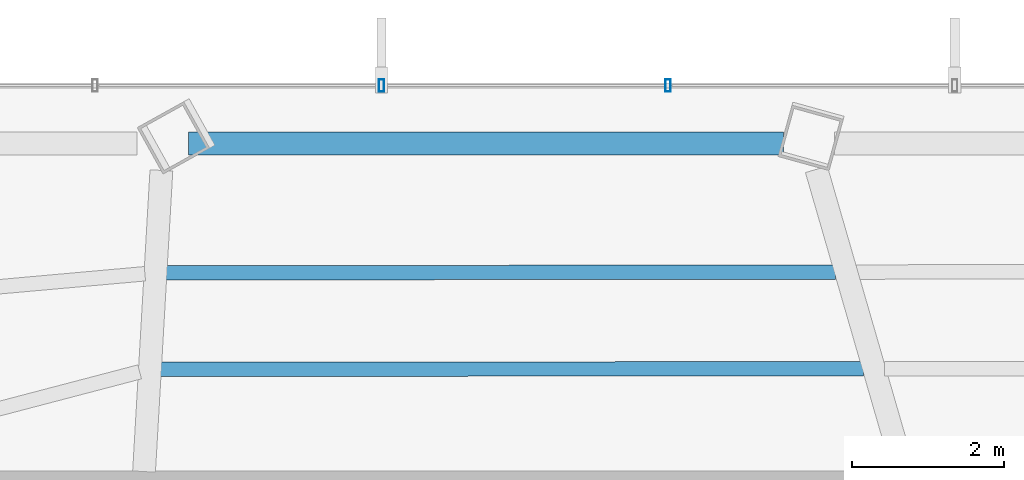
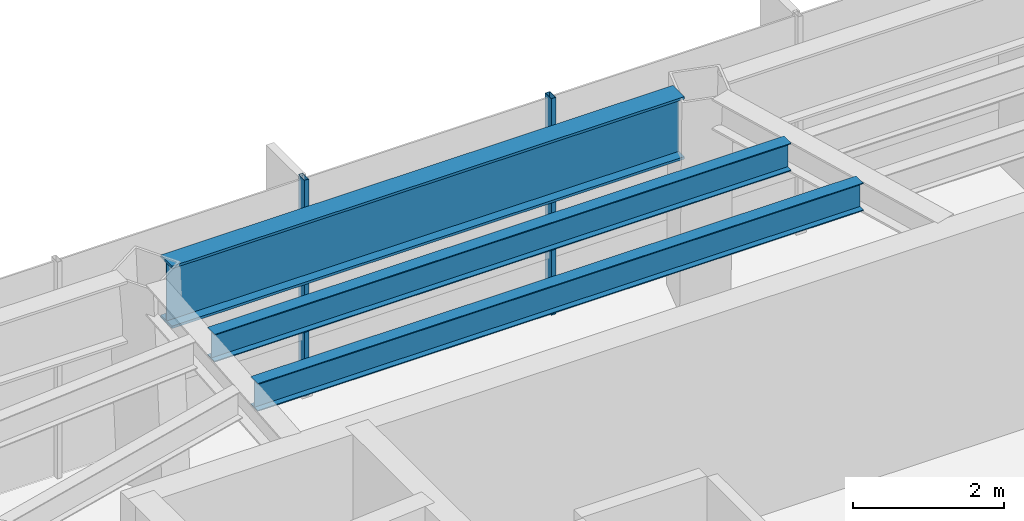
# One storey, part 13 of 27: 3 beams, 2 members, 1 element without a shape of its own.
"""IFC4 building model written with IfcOpenShell, lengths in metres."""

from ifc_helpers import new_model, si_unit, direction, frame, origin, origin_2d, place, context, subcontext, project, spatial, hollow_rectangle, i_section, extrude, material, layer, layer_set, material_profile, profile_set, type_object, element, aggregate, save


model = new_model("IFC4")

# Units and contexts
model_context = context("Model", 3, precision=1e-05, world=origin(), true_north=direction((0.0, 1.0)))
body_context = subcontext(model_context, "Body", "Model", "MODEL_VIEW")
ifc_project = project(units=[si_unit("LENGTHUNIT", "METRE"), si_unit("AREAUNIT", "SQUARE_METRE"), si_unit("VOLUMEUNIT", "CUBIC_METRE"), si_unit("PLANEANGLEUNIT", "RADIAN"), si_unit("MASSUNIT", "GRAM", prefix="KILO")], contexts=[model_context])

# Site, building, storey
site_placement = place(None, origin())
site = spatial("IfcSite", under=ifc_project, at=site_placement, CompositionType="ELEMENT")
building_placement = place(site_placement, origin())
building = spatial("IfcBuilding", under=site, at=building_placement, Name="Zarrinselat Tower", CompositionType="ELEMENT")
storey_placement = place(building_placement, frame((0.0, 0.0, 183.260009765625)))
storey = spatial("IfcBuildingStorey", under=building, at=storey_placement, Name="L45", CompositionType="ELEMENT", Elevation=183.260009765625)

# Beams
ifc_material_1 = material(Name="Steel S460M", Category="steel")
ifc_material_profile_1 = material_profile(ifc_material_1, i_section(OverallWidth=0.302001953125, OverallDepth=1.008056640625, WebThickness=0.02099609375, FlangeThickness=0.0400390625, at=origin_2d()), Name="HEM 1000")
ifc_profile_set_1 = profile_set([ifc_material_profile_1], Name="Steel S460M")
beam_type_1 = type_object("IfcBeamType", Name="BM-HEM1000", PredefinedType="BEAM", material=ifc_profile_set_1)
beam_1_placement = place(storey_placement, frame((31.58642578125, 47.95556640625, 2.99609375), z_axis=(1.0, 0.0, 0.0), x_axis=(0.0, 1.0, 0.0)))
element("IfcBeam", 1, at=beam_1_placement, inside=storey, type_object=beam_type_1, Name="L45 Perimeter Spandrel Girder SP03", PredefinedType="BEAM", context=body_context, shape_type="SweptSolid", body=[
    extrude(i_section(OverallWidth=0.302001953125, OverallDepth=1.008056640625, WebThickness=0.02099609375, FlangeThickness=0.0400390625, at=origin_2d()), origin(), (0.0, 0.0, 1.0), 7.827880859375),
])
ifc_material_2 = material(Name="Steel S355J2", Category="steel")
ifc_material_profile_2 = material_profile(ifc_material_2, i_section(OverallWidth=0.18994140625, OverallDepth=0.449951171875, WebThickness=0.009521484375, FlangeThickness=0.0146484375, at=origin_2d()), Name="IPE 450")
ifc_profile_set_2 = profile_set([ifc_material_profile_2], Name="Steel S355J2")
beam_type_2 = type_object("IfcBeamType", Name="BM-IPE450", PredefinedType="JOIST", material=ifc_profile_set_2)
beam_2_placement = place(storey_placement, frame((31.290771484375, 46.256591796875, 3.27490234375), z_axis=(0.99999955616, 0.000942167121, 0.0), x_axis=(-0.000942167121, 0.99999955616, 0.0)))
element("IfcBeam", 2, at=beam_2_placement, inside=storey, type_object=beam_type_2, Name="L45 Composite Floor Joist 8-1", PredefinedType="JOIST", context=body_context, shape_type="SweptSolid", body=[
    extrude(i_section(OverallWidth=0.18994140625, OverallDepth=0.449951171875, WebThickness=0.009521484375, FlangeThickness=0.0146484375, at=origin_2d()), origin(), (0.0, 0.0, 1.0), 8.810302734375),
])
beam_3_placement = place(storey_placement, frame((31.217529296875, 44.98779296875, 3.27490234375), z_axis=(0.999999887183, 0.000475009183, 0.0), x_axis=(-0.000475009183, 0.999999887183, 0.0)))
element("IfcBeam", 3, at=beam_3_placement, inside=storey, type_object=beam_type_2, Name="L45 Composite Floor Joist 8-2", PredefinedType="JOIST", context=body_context, shape_type="SweptSolid", body=[
    extrude(i_section(OverallWidth=0.18994140625, OverallDepth=0.449951171875, WebThickness=0.009521484375, FlangeThickness=0.0146484375, at=origin_2d()), origin(), (0.0, 0.0, 1.0), 9.25146484375),
])

# Curtain wall, members
ifc_material_3 = material(Name="Extruded Aluminium Alloy EN AW-6063 T6", Category="aluminium")
ifc_layer = layer(ifc_material_3, 0.175048828125)
ifc_layer_set = layer_set([ifc_layer], Name="Extruded Aluminium Alloy EN AW-6063 T6")
curtain_wall_type = type_object("IfcCurtainWallType", Name="CWS-HTL", PredefinedType="NOTDEFINED", material=ifc_layer_set)
curtain_wall_placement = place(storey_placement, origin())
curtain_wall = element("IfcCurtainWall", 4, at=curtain_wall_placement, inside=storey, type_object=curtain_wall_type, Name="L45 Unitised Curtain Wall CW-L45-E01", PredefinedType="NOTDEFINED")
ifc_material_4 = material(Name="Extruded Aluminium Alloy EN AW-6063 T6", Category="aluminium")
ifc_material_profile_3 = material_profile(ifc_material_4, hollow_rectangle(XDim=0.070068359375, YDim=0.159912109375, WallThickness=0.00390625, at=origin_2d()), Name="RHS 160x70x4")
ifc_profile_set_3 = profile_set([ifc_material_profile_3], Name="Extruded Aluminium Alloy EN AW-6063 T6")
member_type = type_object("IfcMemberType", Name="MEM-CW-MUL2", PredefinedType="MULLION", material=ifc_profile_set_3)
member_1_placement = place(storey_placement, frame((37.898193359375, 48.72216796875, 0.0), z_axis=(0.0, 0.0, 1.0), x_axis=(-1.0, 0.0, 0.0)))
member_1 = element("IfcMember", 5, at=member_1_placement, type_object=member_type, Name="CW-L45-E01 Mullion 6", PredefinedType="MULLION", context=body_context, shape_type="SweptSolid", body=[
    extrude(hollow_rectangle(XDim=0.070068359375, YDim=0.159912109375, WallThickness=0.00390625, at=origin_2d()), origin(), (0.0, 0.0, 1.0), 3.5),
])
member_2_placement = place(storey_placement, frame((34.126220703125, 48.72216796875, 0.0), z_axis=(0.0, 0.0, 1.0), x_axis=(-1.0, 0.0, 0.0)))
member_2 = element("IfcMember", 6, at=member_2_placement, type_object=member_type, Name="CW-L45-E01 Mullion 7", PredefinedType="MULLION", context=body_context, shape_type="SweptSolid", body=[
    extrude(hollow_rectangle(XDim=0.070068359375, YDim=0.159912109375, WallThickness=0.00390625, at=origin_2d()), origin(), (0.0, 0.0, 1.0), 3.5),
])
aggregate(curtain_wall, [member_1, member_2])

save(model, "model.ifc")
